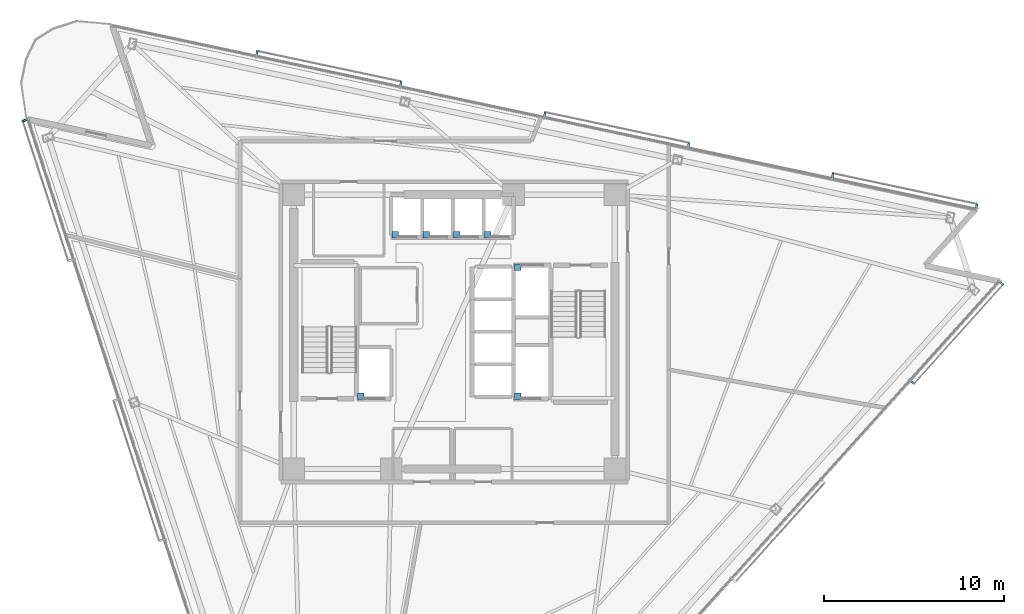
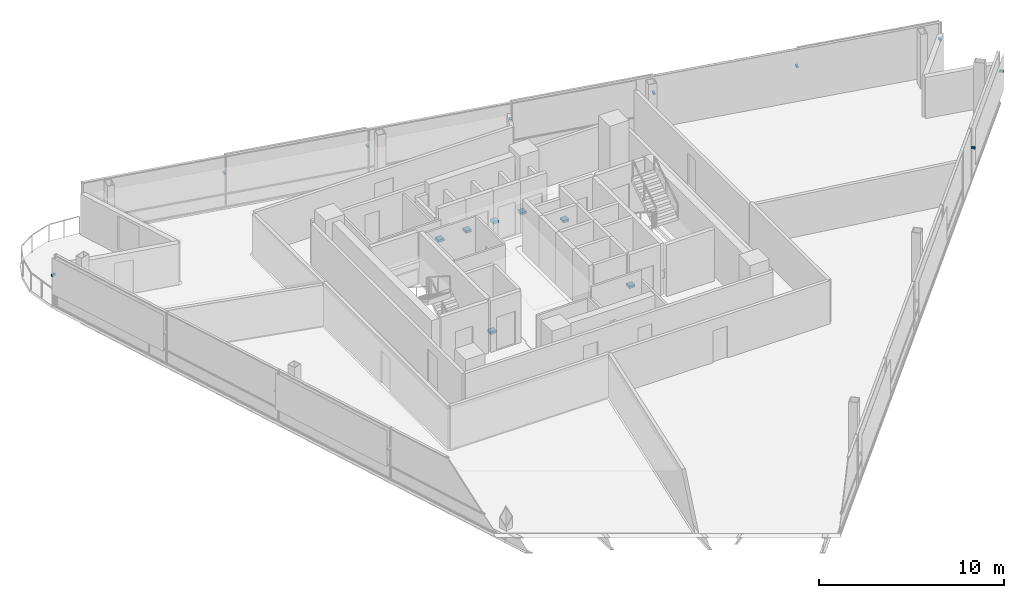
# One storey, part 13 of 16: 16 discrete accessories.
"""IFC4 building model written with IfcOpenShell, lengths in metres."""

from ifc_helpers import new_model, si_unit, direction, frame, origin, origin_2d, place, context, subcontext, project, spatial, rectangle, extrude, material, type_object, element, save


model = new_model("IFC4")

# Units and contexts
model_context = context("Model", 3, precision=1e-05, world=origin(), true_north=direction((0.0, 1.0)))
body_context = subcontext(model_context, "Body", "Model", "MODEL_VIEW")
ifc_project = project(units=[si_unit("LENGTHUNIT", "METRE"), si_unit("AREAUNIT", "SQUARE_METRE"), si_unit("VOLUMEUNIT", "CUBIC_METRE"), si_unit("PLANEANGLEUNIT", "RADIAN"), si_unit("MASSUNIT", "GRAM", prefix="KILO")], contexts=[model_context])

# Site, building, storey
site_placement = place(None, origin())
site = spatial("IfcSite", under=ifc_project, at=site_placement, CompositionType="ELEMENT")
building_placement = place(site_placement, origin())
building = spatial("IfcBuilding", under=site, at=building_placement, Name="Tharavind Bronze Gate", CompositionType="ELEMENT")
storey_placement = place(building_placement, frame((0.0, 0.0, 211.25)))
storey = spatial("IfcBuildingStorey", under=building, at=storey_placement, Name="L54", CompositionType="ELEMENT", Elevation=211.25)

# Discrete accessories
ifc_material_1 = material(Name="Galvanised Steel S355", Category="steel")
discrete_accessory_type_1 = type_object("IfcDiscreteAccessoryType", Name="LIFT GUIDE RAIL BRACKET", PredefinedType="BRACKET", material=ifc_material_1)
for number, where, z_axis, x_axis, name in (
    (1, (-3.280029296875, 5.3701171875, 1.1201171875), (0.0, 0.0, 1.0), (1.0, 0.0, 0.0), "Lift PL5 guide rail bracket at L54"),
    (2, (-1.5673828125, 5.3701171875, 1.1201171875), (0.0, 0.0, 1.0), (1.0, 0.0, 0.0), "Lift PL6 guide rail bracket at L54"),
    (3, (0.14501953125, 5.3701171875, 1.1201171875), (0.0, 0.0, 1.0), (1.0, 0.0, 0.0), "Lift PL7 guide rail bracket at L54"),
    (4, (1.857421875, 5.3701171875, 1.1201171875), (0.0, 0.0, 1.0), (1.0, 0.0, 0.0), "Lift PL8 guide rail bracket at L54"),
    (5, (-5.179931640625, -3.580078125, 1.1201171875), (0.0, 0.0, 1.0), (1.0, 0.0, 0.0), "Lift FFL1 guide rail bracket at L54"),
    (6, (3.5, 3.580078125, 1.1201171875), (0.0, 0.0, 1.0), (1.0, 0.0, 0.0), "Lift FFL2 guide rail bracket at L54"),
    (7, (3.5, -3.580078125, 1.1201171875), (0.0, 0.0, 1.0), (1.0, 0.0, 0.0), "Lift SVL1 guide rail bracket at L54"),
):
    element("IfcDiscreteAccessory", number, at=place(storey_placement, frame(where, z_axis=z_axis, x_axis=x_axis)), inside=storey, type_object=discrete_accessory_type_1, Name=name, PredefinedType="BRACKET", context=body_context, shape_type="SweptSolid", body=[
        extrude(rectangle(XDim=0.360107421875, YDim=0.360107421875, at=origin_2d()), origin(), (0.0, 0.0, 1.0), 0.159912109375),
    ])
ifc_material_2 = material(Name="Stainless Steel 316", Category="steel")
discrete_accessory_type_2 = type_object("IfcDiscreteAccessoryType", Name="SOLAR SCREEN STANDOFF BRACKET", PredefinedType="BRACKET", material=ifc_material_2)
for number, where, z_axis, x_axis, name in (
    (8, (-23.801513671875, 11.724853515625, 2.099853515625), (0.0, 0.0, 1.0), (0.309016994375, -0.951056516295, 0.0), "CW-L54-S1 solar screen bracket 1.1"),
    (9, (25.388671875, -2.80126953125, 2.099853515625), (0.0, 0.0, 1.0), (0.669130606359, 0.743144825477, 0.0), "CW-L54-S2 solar screen bracket 7.1"),
    (10, (30.333251953125, 2.690185546875, 2.099853515625), (0.0, 0.0, 1.0), (0.669130606359, 0.743144825477, 0.0), "CW-L54-S2 solar screen bracket 7.2"),
    (11, (28.942626953125, 6.9697265625, 2.099853515625), (0.0, 0.0, 1.0), (-0.978147600734, 0.207911690818, 0.0), "CW-L54-S3 solar screen bracket 1.1"),
    (12, (20.965087890625, 8.665283203125, 2.099853515625), (0.0, 0.0, 1.0), (-0.978147600734, 0.207911690818, 0.0), "CW-L54-S3 solar screen bracket 1.2"),
    (13, (12.98779296875, 10.361083984375, 2.099853515625), (0.0, 0.0, 1.0), (-0.978147600734, 0.207911690818, 0.0), "CW-L54-S3 solar screen bracket 3.1"),
    (14, (5.01025390625, 12.056640625, 2.099853515625), (0.0, 0.0, 1.0), (-0.978147600734, 0.207911690818, 0.0), "CW-L54-S3 solar screen bracket 3.2"),
    (15, (-2.96728515625, 13.752197265625, 2.099853515625), (0.0, 0.0, 1.0), (-0.978147600734, 0.207911690818, 0.0), "CW-L54-S3 solar screen bracket 5.1"),
    (16, (-10.94482421875, 15.447998046875, 2.099853515625), (0.0, 0.0, 1.0), (-0.978147600734, 0.207911690818, 0.0), "CW-L54-S3 solar screen bracket 5.2"),
):
    element("IfcDiscreteAccessory", number, at=place(storey_placement, frame(where, z_axis=z_axis, x_axis=x_axis)), inside=storey, type_object=discrete_accessory_type_2, Name=name, PredefinedType="BRACKET", context=body_context, shape_type="SweptSolid", body=[
        extrude(rectangle(XDim=0.1201171875, YDim=0.239990234375, at=origin_2d()), origin(), (0.0, 0.0, 1.0), 0.1201171875),
    ])

save(model, "model.ifc")
